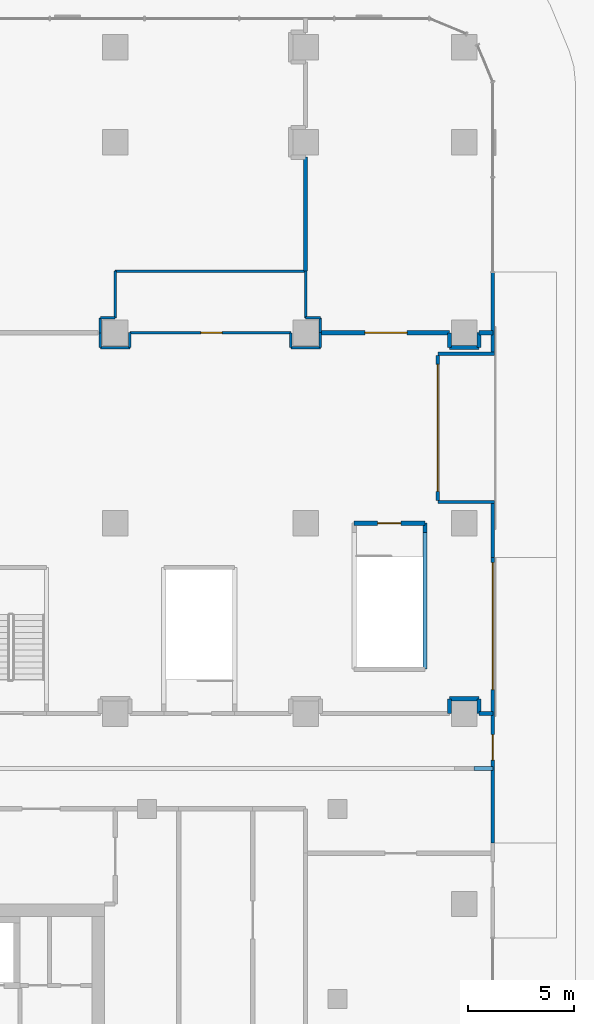
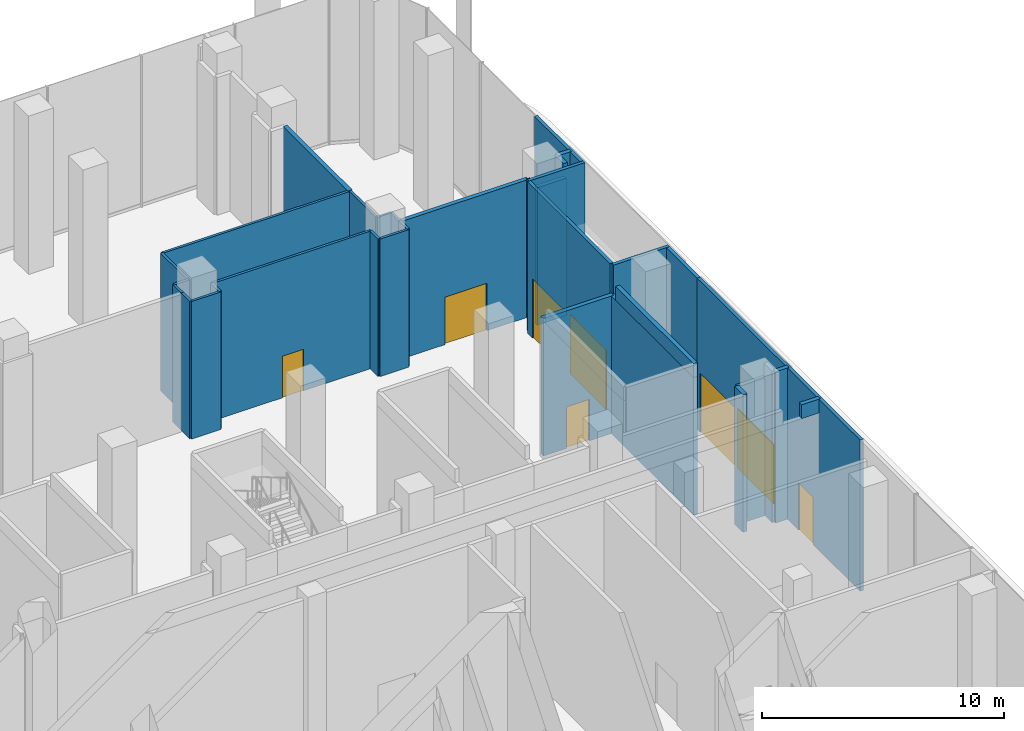
# One storey, part 25 of 42: 34 walls, 8 doors, 8 openings.
"""IFC4 building model written with IfcOpenShell, lengths in metres."""

from ifc_helpers import new_model, si_unit, direction, frame, frame_2d, origin, place, context, subcontext, project, spatial, rectangle, extrude, material, layer, layer_set, type_object, element, fill, save


model = new_model("IFC4")

# Units and contexts
model_context = context("Model", 3, precision=1e-05, world=origin(), true_north=direction((0.0, 1.0)))
body_context = subcontext(model_context, "Body", "Model", "MODEL_VIEW")
ifc_project = project(units=[si_unit("LENGTHUNIT", "METRE"), si_unit("AREAUNIT", "SQUARE_METRE"), si_unit("VOLUMEUNIT", "CUBIC_METRE"), si_unit("PLANEANGLEUNIT", "RADIAN"), si_unit("MASSUNIT", "GRAM", prefix="KILO")], contexts=[model_context])

# Site, building, storey
site_placement = place(None, origin())
site = spatial("IfcSite", under=ifc_project, at=site_placement, CompositionType="ELEMENT")
building_placement = place(site_placement, origin())
building = spatial("IfcBuilding", under=site, at=building_placement, Name="Plateau Cross Towers", CompositionType="ELEMENT")
storey_placement = place(building_placement, origin())
storey = spatial("IfcBuildingStorey", under=building, at=storey_placement, Name="L00", CompositionType="ELEMENT", Elevation=0.0)

# Wall, openings, doors
ifc_material_1 = material(Name="Concrete C40/50", Category="concrete")
ifc_layer_1 = layer(ifc_material_1, 0.159912109375)
ifc_layer_set_1 = layer_set([ifc_layer_1], Name="Concrete C40/50")
wall_type_1 = type_object("IfcWallType", Name="Entrance niche wall 160", PredefinedType="STANDARD", material=ifc_layer_set_1)
wall_1_placement = place(storey_placement, frame((105.25, 43.919921875, 0.0), z_axis=(0.0, 0.0, 1.0), x_axis=(0.0, -1.0, 0.0)))
wall_1 = element("IfcWall", 1, at=wall_1_placement, inside=storey, type_object=wall_type_1, Name="Station station-E1 screen wall", PredefinedType="STANDARD", context=body_context, shape_type="SweptSolid", body=[
    extrude(rectangle(XDim=6.83984375, YDim=0.159912109375, at=frame_2d((3.419921875, 0.0))), origin(), (0.0, 0.0, 1.0), 7.64990234375),
])
opening_1_placement = place(wall_1_placement, frame((0.419921875, 0.0, 0.0)))
opening_1 = element("IfcOpeningElement", 2, at=opening_1_placement, cuts=wall_1, Name="Opening XD3", PredefinedType="OPENING", context=body_context, shape_type="SweptSolid", body=[
    extrude(rectangle(XDim=3.0, YDim=3.0, at=frame_2d((1.5, 1.5))), frame((0.0, 0.08984375, 0.0), z_axis=(0.0, -1.0, 0.0), x_axis=(1.0, 0.0, 0.0)), (0.0, 0.0, 1.0), 0.179931640625),
])
opening_2_placement = place(wall_1_placement, frame((3.419921875, 0.0, 0.0)))
opening_2 = element("IfcOpeningElement", 3, at=opening_2_placement, cuts=wall_1, Name="Opening XD3", PredefinedType="OPENING", context=body_context, shape_type="SweptSolid", body=[
    extrude(rectangle(XDim=3.0, YDim=3.0, at=frame_2d((1.5, 1.5))), frame((0.0, 0.08984375, 0.0), z_axis=(0.0, -1.0, 0.0), x_axis=(1.0, 0.0, 0.0)), (0.0, 0.0, 1.0), 0.179931640625),
])
ifc_material_2 = material(Name="Aluminium framed glazing", Category="aluminium")
door_type_1 = type_object("IfcDoorType", Name="Station entrance sliding door 3000x3000", OperationType="SLIDING_TO_LEFT", PredefinedType="DOOR", material=ifc_material_2)
door_1_placement = place(opening_1_placement, origin())
door_1 = element("IfcDoor", 4, at=door_1_placement, inside=storey, type_object=door_type_1, Name="Station station-E1 door 1", OperationType="SINGLE_SWING_LEFT", OverallHeight=3.0, OverallWidth=3.0, PredefinedType="DOOR", context=body_context, shape_type="SweptSolid", body=[
    extrude(rectangle(XDim=3.0, YDim=3.0, at=frame_2d((1.5, 1.5))), frame((0.0, 0.02490234375, 0.0), z_axis=(0.0, -1.0, 0.0), x_axis=(1.0, 0.0, 0.0)), (0.0, 0.0, 1.0), 0.050048828125),
])
fill(opening_1, door_1)
door_2_placement = place(opening_2_placement, origin())
door_2 = element("IfcDoor", 5, at=door_2_placement, inside=storey, type_object=door_type_1, Name="Station station-E1 door 2", OperationType="SINGLE_SWING_LEFT", OverallHeight=3.0, OverallWidth=3.0, PredefinedType="DOOR", context=body_context, shape_type="SweptSolid", body=[
    extrude(rectangle(XDim=3.0, YDim=3.0, at=frame_2d((1.5, 1.5))), frame((0.0, 0.02490234375, 0.0), z_axis=(0.0, -1.0, 0.0), x_axis=(1.0, 0.0, 0.0)), (0.0, 0.0, 1.0), 0.050048828125),
])
fill(opening_2, door_2)

# Walls
for number, where, z_axis, x_axis, name in (
    (6, (107.929931640625, 37.0, 0.0), (0.0, 0.0, 1.0), (-1.0, 0.0, 0.0), "Station portal return wall"),
    (7, (107.929931640625, 44.0, 0.0), (0.0, 0.0, 1.0), (-1.0, 0.0, 0.0), "Station portal return wall"),
):
    element("IfcWall", number, at=place(storey_placement, frame(where, z_axis=z_axis, x_axis=x_axis)), inside=storey, type_object=wall_type_1, Name=name, PredefinedType="STANDARD", context=body_context, shape_type="SweptSolid", body=[
        extrude(rectangle(XDim=2.679931640625, YDim=0.159912109375, at=frame_2d((1.33984375, 0.0))), origin(), (0.0, 0.0, 1.0), 7.64990234375),
    ])
ifc_layer_2 = layer(ifc_material_2, 0.159912109375)
ifc_layer_set_2 = layer_set([ifc_layer_2], Name="Aluminium framed glazing")
wall_type_2 = type_object("IfcWallType", Name="Entrance screen wall 160", PredefinedType="STANDARD", material=ifc_layer_set_2)
wall_2_placement = place(storey_placement, frame((107.85009765625, 36.919921875, 0.0), z_axis=(0.0, 0.0, 1.0), x_axis=(0.0, -1.0, 0.0)))
element("IfcWall", 8, at=wall_2_placement, inside=storey, type_object=wall_type_2, Name="Station station-E1 screen wall", PredefinedType="STANDARD", context=body_context, shape_type="SweptSolid", body=[
    extrude(rectangle(XDim=2.544921875, YDim=0.159912109375, at=frame_2d((1.2724609375, 0.0))), origin(), (0.0, 0.0, 1.0), 7.64990234375),
])
wall_3_placement = place(storey_placement, frame((107.85009765625, 47.860107421875, 0.0), z_axis=(0.0, 0.0, 1.0), x_axis=(0.0, -1.0, 0.0)))
element("IfcWall", 9, at=wall_3_placement, inside=storey, type_object=wall_type_2, Name="Station station-E1 screen wall", PredefinedType="STANDARD", context=body_context, shape_type="SweptSolid", body=[
    extrude(rectangle(XDim=3.780029296875, YDim=0.159912109375, at=frame_2d((1.89013671875, 0.0))), origin(), (0.0, 0.0, 1.0), 7.64990234375),
])

# Wall, openings, doors
wall_4_placement = place(storey_placement, frame((107.85009765625, 34.375, 0.0), z_axis=(0.0, 0.0, 1.0), x_axis=(0.0, -1.0, 0.0)))
wall_4 = element("IfcWall", 10, at=wall_4_placement, inside=storey, type_object=wall_type_2, Name="Station station-E2 screen wall", PredefinedType="STANDARD", context=body_context, shape_type="SweptSolid", body=[
    extrude(rectangle(XDim=13.485107421875, YDim=0.159912109375, at=frame_2d((6.74267578125, 0.0))), origin(), (0.0, 0.0, 1.0), 7.64990234375),
])
opening_3_placement = place(wall_4_placement, frame((0.242431640625, 0.0, 0.0)))
opening_3 = element("IfcOpeningElement", 11, at=opening_3_placement, cuts=wall_4, Name="Opening XD3", PredefinedType="OPENING", context=body_context, shape_type="SweptSolid", body=[
    extrude(rectangle(XDim=3.0, YDim=3.0, at=frame_2d((1.5, 1.5))), frame((0.0, 0.08984375, 0.0), z_axis=(0.0, -1.0, 0.0), x_axis=(1.0, 0.0, 0.0)), (0.0, 0.0, 1.0), 0.179931640625),
])
opening_4_placement = place(wall_4_placement, frame((3.242431640625, 0.0, 0.0)))
opening_4 = element("IfcOpeningElement", 12, at=opening_4_placement, cuts=wall_4, Name="Opening XD3", PredefinedType="OPENING", context=body_context, shape_type="SweptSolid", body=[
    extrude(rectangle(XDim=3.0, YDim=3.0, at=frame_2d((1.5, 1.5))), frame((0.0, 0.08984375, 0.0), z_axis=(0.0, -1.0, 0.0), x_axis=(1.0, 0.0, 0.0)), (0.0, 0.0, 1.0), 0.179931640625),
])
opening_5_placement = place(wall_4_placement, frame((8.375, 0.0, 0.0)))
opening_5 = element("IfcOpeningElement", 13, at=opening_5_placement, cuts=wall_4, Name="Opening XD4", PredefinedType="OPENING", context=body_context, shape_type="SweptSolid", body=[
    extrude(rectangle(XDim=1.199951171875, YDim=2.39990234375, at=frame_2d((0.60009765625, 1.199951171875))), frame((0.0, 0.08984375, 0.0), z_axis=(0.0, -1.0, 0.0), x_axis=(1.0, 0.0, 0.0)), (0.0, 0.0, 1.0), 0.179931640625),
])
ifc_material_3 = material(Name="Steel S355", Category="steel")
door_type_2 = type_object("IfcDoorType", Name="Service door single leaf 1200x2400", OperationType="SINGLE_SWING_LEFT", PredefinedType="DOOR", material=ifc_material_3)
door_3_placement = place(opening_5_placement, origin())
door_3 = element("IfcDoor", 14, at=door_3_placement, inside=storey, type_object=door_type_2, Name="Exit door XP-E", OperationType="SINGLE_SWING_LEFT", OverallHeight=2.39990234375, OverallWidth=1.199951171875, PredefinedType="DOOR", context=body_context, shape_type="SweptSolid", body=[
    extrude(rectangle(XDim=1.199951171875, YDim=2.39990234375, at=frame_2d((0.60009765625, 1.199951171875))), frame((0.0, 0.02490234375, 0.0), z_axis=(0.0, -1.0, 0.0), x_axis=(1.0, 0.0, 0.0)), (0.0, 0.0, 1.0), 0.050048828125),
])
fill(opening_5, door_3)
door_4_placement = place(opening_3_placement, origin())
door_4 = element("IfcDoor", 15, at=door_4_placement, inside=storey, type_object=door_type_1, Name="Station station-E2 door 1", OperationType="SINGLE_SWING_LEFT", OverallHeight=3.0, OverallWidth=3.0, PredefinedType="DOOR", context=body_context, shape_type="SweptSolid", body=[
    extrude(rectangle(XDim=3.0, YDim=3.0, at=frame_2d((1.5, 1.5))), frame((0.0, 0.02490234375, 0.0), z_axis=(0.0, -1.0, 0.0), x_axis=(1.0, 0.0, 0.0)), (0.0, 0.0, 1.0), 0.050048828125),
])
fill(opening_3, door_4)
door_5_placement = place(opening_4_placement, origin())
door_5 = element("IfcDoor", 16, at=door_5_placement, inside=storey, type_object=door_type_1, Name="Station station-E2 door 2", OperationType="SINGLE_SWING_LEFT", OverallHeight=3.0, OverallWidth=3.0, PredefinedType="DOOR", context=body_context, shape_type="SweptSolid", body=[
    extrude(rectangle(XDim=3.0, YDim=3.0, at=frame_2d((1.5, 1.5))), frame((0.0, 0.02490234375, 0.0), z_axis=(0.0, -1.0, 0.0), x_axis=(1.0, 0.0, 0.0)), (0.0, 0.0, 1.0), 0.050048828125),
])
fill(opening_4, door_5)

# Wall
ifc_material_4 = material(Name="Gypsum board on steel studs", Category="steel")
ifc_layer_3 = layer(ifc_material_4, 0.199951171875)
ifc_layer_set_3 = layer_set([ifc_layer_3], Name="Gypsum board on steel studs")
wall_type_3 = type_object("IfcWallType", Name="Podium partition 200", PredefinedType="PARTITIONING", material=ifc_layer_set_3)
wall_5_placement = place(storey_placement, frame((99.0, 53.300048828125, 0.0), z_axis=(0.0, 0.0, 1.0), x_axis=(0.0, -1.0, 0.0)))
element("IfcWall", 17, at=wall_5_placement, inside=storey, type_object=wall_type_3, Name="Partition wall", PredefinedType="PARTITIONING", context=body_context, shape_type="SweptSolid", body=[
    extrude(rectangle(XDim=5.38916015625, YDim=0.199951171875, at=frame_2d((2.694580078125, 0.0))), origin(), (0.0, 0.0, 1.0), 6.949951171875),
])

# Wall, opening, door
wall_6_placement = place(storey_placement, frame((99.699951171875, 45.0, 0.0), z_axis=(0.0, 0.0, 1.0), x_axis=(1.0, 0.0, 0.0)))
wall_6 = element("IfcWall", 18, at=wall_6_placement, inside=storey, type_object=wall_type_3, Name="Partition wall", PredefinedType="PARTITIONING", context=body_context, shape_type="SweptSolid", body=[
    extrude(rectangle(XDim=6.10009765625, YDim=0.199951171875, at=frame_2d((3.050048828125, 0.0))), origin(), (0.0, 0.0, 1.0), 6.949951171875),
])
opening_6_placement = place(wall_6_placement, frame((2.10009765625, 0.0, 0.0)))
opening_6 = element("IfcOpeningElement", 19, at=opening_6_placement, cuts=wall_6, Name="Opening 00-31", PredefinedType="OPENING", context=body_context, shape_type="SweptSolid", body=[
    extrude(rectangle(XDim=2.0, YDim=2.39990234375, at=frame_2d((1.0, 1.199951171875))), frame((0.0, 0.10986328125, 0.0), z_axis=(0.0, -1.0, 0.0), x_axis=(1.0, 0.0, 0.0)), (0.0, 0.0, 1.0), 0.219970703125),
])
ifc_material_5 = material(Name="Aluminium frame, toughened glass", Category="aluminium")
door_type_3 = type_object("IfcDoorType", Name="Shop entrance double door 2000x2400", OperationType="NOTDEFINED", PredefinedType="DOOR", material=ifc_material_5)
door_6_placement = place(opening_6_placement, origin())
door_6 = element("IfcDoor", 20, at=door_6_placement, inside=storey, type_object=door_type_3, Name="Door 00-31", OperationType="SINGLE_SWING_LEFT", OverallHeight=2.39990234375, OverallWidth=2.0, PredefinedType="DOOR", context=body_context, shape_type="SweptSolid", body=[
    extrude(rectangle(XDim=2.0, YDim=2.39990234375, at=frame_2d((1.0, 1.199951171875))), frame((0.0, 0.02490234375, 0.0), z_axis=(0.0, -1.0, 0.0), x_axis=(1.0, 0.0, 0.0)), (0.0, 0.0, 1.0), 0.050048828125),
])
fill(opening_6, door_6)

# Walls
wall_7_placement = place(storey_placement, frame((105.800048828125, 45.0, 0.0), z_axis=(0.0, 0.0, 1.0), x_axis=(0.0, -1.0, 0.0)))
element("IfcWall", 21, at=wall_7_placement, inside=storey, type_object=wall_type_3, Name="Partition wall", PredefinedType="PARTITIONING", context=body_context, shape_type="SweptSolid", body=[
    extrude(rectangle(XDim=0.699951171875, YDim=0.199951171875, at=frame_2d((0.35009765625, 0.0))), origin(), (0.0, 0.0, 1.0), 6.949951171875),
])
wall_8_placement = place(storey_placement, frame((105.800048828125, 44.300048828125, 0.0), z_axis=(0.0, 0.0, 1.0), x_axis=(1.0, 0.0, 0.0)))
element("IfcWall", 22, at=wall_8_placement, inside=storey, type_object=wall_type_3, Name="Partition wall", PredefinedType="PARTITIONING", context=body_context, shape_type="SweptSolid", body=[
    extrude(rectangle(XDim=1.39990234375, YDim=0.199951171875, at=frame_2d((0.699951171875, 0.0))), origin(), (0.0, 0.0, 1.0), 6.949951171875),
])
wall_9_placement = place(storey_placement, frame((107.199951171875, 44.300048828125, 0.0), z_axis=(0.0, 0.0, 1.0), x_axis=(0.0, 1.0, 0.0)))
element("IfcWall", 23, at=wall_9_placement, inside=storey, type_object=wall_type_3, Name="Partition wall", PredefinedType="PARTITIONING", context=body_context, shape_type="SweptSolid", body=[
    extrude(rectangle(XDim=0.699951171875, YDim=0.199951171875, at=frame_2d((0.35009765625, 0.0))), origin(), (0.0, 0.0, 1.0), 7.64990234375),
])
wall_10_placement = place(storey_placement, frame((107.199951171875, 45.0, 0.0), z_axis=(0.0, 0.0, 1.0), x_axis=(1.0, 0.0, 0.0)))
element("IfcWall", 24, at=wall_10_placement, inside=storey, type_object=wall_type_3, Name="Partition wall", PredefinedType="PARTITIONING", context=body_context, shape_type="SweptSolid", body=[
    extrude(rectangle(XDim=0.650146484375, YDim=0.199951171875, at=frame_2d((0.3251953125, 0.0))), origin(), (0.0, 0.0, 1.0), 7.64990234375),
])

# Wall, opening, door
ifc_material_6 = material(Name="Fire-rated plasterboard shaft wall system")
ifc_layer_4 = layer(ifc_material_6, 0.199951171875)
ifc_layer_set_4 = layer_set([ifc_layer_4], Name="Fire-rated plasterboard shaft wall system")
wall_type_4 = type_object("IfcWallType", Name="Podium stair shaft wall 200", PredefinedType="PARTITIONING", material=ifc_layer_set_4)
wall_11_placement = place(storey_placement, frame((101.300048828125, 36.0, 0.0), z_axis=(0.0, 0.0, 1.0), x_axis=(1.0, 0.0, 0.0)))
wall_11 = element("IfcWall", 25, at=wall_11_placement, inside=storey, type_object=wall_type_4, Name="Partition wall", PredefinedType="PARTITIONING", context=body_context, shape_type="SweptSolid", body=[
    extrude(rectangle(XDim=3.349853515625, YDim=0.199951171875, at=frame_2d((1.6748046875, 0.0))), origin(), (0.0, 0.0, 1.0), 6.949951171875),
])
opening_7_placement = place(wall_11_placement, frame((1.10009765625, 0.0, 0.0)))
opening_7 = element("IfcOpeningElement", 26, at=opening_7_placement, cuts=wall_11, Name="Opening 00-12", PredefinedType="OPENING", context=body_context, shape_type="SweptSolid", body=[
    extrude(rectangle(XDim=1.10009765625, YDim=2.10009765625, at=frame_2d((0.550048828125, 1.050048828125))), frame((0.0, 0.10986328125, 0.0), z_axis=(0.0, -1.0, 0.0), x_axis=(1.0, 0.0, 0.0)), (0.0, 0.0, 1.0), 0.219970703125),
])
ifc_material_7 = material(Name="Steel, fire-resisting leaf", Category="steel")
door_type_4 = type_object("IfcDoorType", Name="Podium stair door 1100", OperationType="NOTDEFINED", PredefinedType="DOOR", material=ifc_material_7)
door_7_placement = place(opening_7_placement, origin())
door_7 = element("IfcDoor", 27, at=door_7_placement, inside=storey, type_object=door_type_4, Name="Door 00-12", OperationType="SINGLE_SWING_LEFT", OverallHeight=2.10009765625, OverallWidth=1.10009765625, PredefinedType="DOOR", context=body_context, shape_type="SweptSolid", body=[
    extrude(rectangle(XDim=1.10009765625, YDim=2.10009765625, at=frame_2d((0.550048828125, 1.050048828125))), frame((0.0, 0.02490234375, 0.0), z_axis=(0.0, -1.0, 0.0), x_axis=(1.0, 0.0, 0.0)), (0.0, 0.0, 1.0), 0.050048828125),
])
fill(opening_7, door_7)

# Walls
wall_12_placement = place(storey_placement, frame((104.64990234375, 36.0, 0.0), z_axis=(0.0, 0.0, 1.0), x_axis=(0.0, -1.0, 0.0)))
element("IfcWall", 28, at=wall_12_placement, inside=storey, type_object=wall_type_4, Name="Partition wall", PredefinedType="PARTITIONING", context=body_context, shape_type="SweptSolid", body=[
    extrude(rectangle(XDim=6.89990234375, YDim=0.199951171875, at=frame_2d((3.449951171875, 0.0))), origin(), (0.0, 0.0, 1.0), 6.949951171875),
])
wall_13_placement = place(storey_placement, frame((105.800048828125, 27.0, 0.0), z_axis=(0.0, 0.0, 1.0), x_axis=(0.0, 1.0, 0.0)))
element("IfcWall", 29, at=wall_13_placement, inside=storey, type_object=wall_type_4, Name="Partition wall", PredefinedType="PARTITIONING", context=body_context, shape_type="SweptSolid", body=[
    extrude(rectangle(XDim=0.699951171875, YDim=0.199951171875, at=frame_2d((0.35009765625, 0.0))), origin(), (0.0, 0.0, 1.0), 6.949951171875),
])
wall_14_placement = place(storey_placement, frame((105.800048828125, 27.699951171875, 0.0), z_axis=(0.0, 0.0, 1.0), x_axis=(1.0, 0.0, 0.0)))
element("IfcWall", 30, at=wall_14_placement, inside=storey, type_object=wall_type_4, Name="Partition wall", PredefinedType="PARTITIONING", context=body_context, shape_type="SweptSolid", body=[
    extrude(rectangle(XDim=1.39990234375, YDim=0.199951171875, at=frame_2d((0.699951171875, 0.0))), origin(), (0.0, 0.0, 1.0), 6.949951171875),
])
wall_15_placement = place(storey_placement, frame((107.199951171875, 27.699951171875, 0.0), z_axis=(0.0, 0.0, 1.0), x_axis=(0.0, -1.0, 0.0)))
element("IfcWall", 31, at=wall_15_placement, inside=storey, type_object=wall_type_4, Name="Partition wall", PredefinedType="PARTITIONING", context=body_context, shape_type="SweptSolid", body=[
    extrude(rectangle(XDim=0.699951171875, YDim=0.199951171875, at=frame_2d((0.35009765625, 0.0))), origin(), (0.0, 0.0, 1.0), 7.64990234375),
])
wall_16_placement = place(storey_placement, frame((107.199951171875, 27.0, 0.0), z_axis=(0.0, 0.0, 1.0), x_axis=(1.0, 0.0, 0.0)))
element("IfcWall", 32, at=wall_16_placement, inside=storey, type_object=wall_type_4, Name="Partition wall", PredefinedType="PARTITIONING", context=body_context, shape_type="SweptSolid", body=[
    extrude(rectangle(XDim=0.650146484375, YDim=0.199951171875, at=frame_2d((0.3251953125, 0.0))), origin(), (0.0, 0.0, 1.0), 7.64990234375),
])
wall_17_placement = place(storey_placement, frame((107.85009765625, 24.39990234375, 6.949951171875), z_axis=(0.0, 0.0, 1.0), x_axis=(-1.0, 0.0, 0.0)))
element("IfcWall", 33, at=wall_17_placement, inside=storey, type_object=wall_type_4, Name="Partition wall head", PredefinedType="PARTITIONING", context=body_context, shape_type="SweptSolid", body=[
    extrude(rectangle(XDim=0.900146484375, YDim=0.199951171875, at=frame_2d((0.4501953125, 0.0))), origin(), (0.0, 0.0, 1.0), 0.699951171875),
])
wall_18_placement = place(storey_placement, frame((104.64990234375, 35.550048828125, 6.949951171875), z_axis=(0.0, 0.0, 1.0), x_axis=(0.0, -1.0, 0.0)))
element("IfcWall", 34, at=wall_18_placement, inside=storey, type_object=wall_type_4, Name="Partition wall head", PredefinedType="PARTITIONING", context=body_context, shape_type="SweptSolid", body=[
    extrude(rectangle(XDim=6.449951171875, YDim=0.199951171875, at=frame_2d((3.22509765625, 0.0))), origin(), (0.0, 0.0, 1.0), 0.699951171875),
])
ifc_material_8 = material(Name="Moisture-resistant board on steel studs, tiled one side", Category="steel")
ifc_layer_5 = layer(ifc_material_8, 0.1201171875)
ifc_layer_set_5 = layer_set([ifc_layer_5], Name="Moisture-resistant board on steel studs, tiled one side")
wall_type_5 = type_object("IfcWallType", Name="Sanitary partition 120", PredefinedType="PARTITIONING", material=ifc_layer_set_5)
wall_19_placement = place(storey_placement, frame((89.300048828125, 45.0, 0.0), z_axis=(0.0, 0.0, 1.0), x_axis=(0.0, -1.0, 0.0)))
element("IfcWall", 35, at=wall_19_placement, inside=storey, type_object=wall_type_5, Name="Partition wall", PredefinedType="PARTITIONING", context=body_context, shape_type="SweptSolid", body=[
    extrude(rectangle(XDim=0.699951171875, YDim=0.1201171875, at=frame_2d((0.35009765625, 0.0))), origin(), (0.0, 0.0, 1.0), 6.949951171875),
])
wall_20_placement = place(storey_placement, frame((89.300048828125, 44.300048828125, 0.0), z_axis=(0.0, 0.0, 1.0), x_axis=(1.0, 0.0, 0.0)))
element("IfcWall", 36, at=wall_20_placement, inside=storey, type_object=wall_type_5, Name="Partition wall", PredefinedType="PARTITIONING", context=body_context, shape_type="SweptSolid", body=[
    extrude(rectangle(XDim=1.39990234375, YDim=0.1201171875, at=frame_2d((0.699951171875, 0.0))), origin(), (0.0, 0.0, 1.0), 6.949951171875),
])
wall_21_placement = place(storey_placement, frame((90.699951171875, 44.300048828125, 0.0), z_axis=(0.0, 0.0, 1.0), x_axis=(0.0, 1.0, 0.0)))
element("IfcWall", 37, at=wall_21_placement, inside=storey, type_object=wall_type_5, Name="Partition wall", PredefinedType="PARTITIONING", context=body_context, shape_type="SweptSolid", body=[
    extrude(rectangle(XDim=0.699951171875, YDim=0.1201171875, at=frame_2d((0.35009765625, 0.0))), origin(), (0.0, 0.0, 1.0), 6.949951171875),
])

# Wall, opening, door
wall_22_placement = place(storey_placement, frame((90.699951171875, 45.0, 0.0), z_axis=(0.0, 0.0, 1.0), x_axis=(1.0, 0.0, 0.0)))
wall_22 = element("IfcWall", 38, at=wall_22_placement, inside=storey, type_object=wall_type_5, Name="Partition wall", PredefinedType="PARTITIONING", context=body_context, shape_type="SweptSolid", body=[
    extrude(rectangle(XDim=7.60009765625, YDim=0.1201171875, at=frame_2d((3.800048828125, 0.0))), origin(), (0.0, 0.0, 1.0), 6.949951171875),
])
opening_8_placement = place(wall_22_placement, frame((3.35009765625, 0.0, 0.0)))
opening_8 = element("IfcOpeningElement", 39, at=opening_8_placement, cuts=wall_22, Name="Opening 00-30", PredefinedType="OPENING", context=body_context, shape_type="SweptSolid", body=[
    extrude(rectangle(XDim=1.0, YDim=2.10009765625, at=frame_2d((0.5, 1.050048828125))), frame((0.0, 0.070068359375, 0.0), z_axis=(0.0, -1.0, 0.0), x_axis=(1.0, 0.0, 0.0)), (0.0, 0.0, 1.0), 0.14013671875),
])
ifc_material_9 = material(Name="Timber leaf", Category="wood")
door_type_5 = type_object("IfcDoorType", Name="Podium clinic door 1000", OperationType="NOTDEFINED", PredefinedType="DOOR", material=ifc_material_9)
door_8_placement = place(opening_8_placement, origin())
door_8 = element("IfcDoor", 40, at=door_8_placement, inside=storey, type_object=door_type_5, Name="Door 00-30", OperationType="SINGLE_SWING_LEFT", OverallHeight=2.10009765625, OverallWidth=1.0, PredefinedType="DOOR", context=body_context, shape_type="SweptSolid", body=[
    extrude(rectangle(XDim=1.0, YDim=2.10009765625, at=frame_2d((0.5, 1.050048828125))), frame((0.0, 0.02490234375, 0.0), z_axis=(0.0, -1.0, 0.0), x_axis=(1.0, 0.0, 0.0)), (0.0, 0.0, 1.0), 0.050048828125),
])
fill(opening_8, door_8)

# Walls
wall_23_placement = place(storey_placement, frame((98.300048828125, 45.0, 0.0), z_axis=(0.0, 0.0, 1.0), x_axis=(0.0, -1.0, 0.0)))
element("IfcWall", 41, at=wall_23_placement, inside=storey, type_object=wall_type_5, Name="Partition wall", PredefinedType="PARTITIONING", context=body_context, shape_type="SweptSolid", body=[
    extrude(rectangle(XDim=0.699951171875, YDim=0.1201171875, at=frame_2d((0.35009765625, 0.0))), origin(), (0.0, 0.0, 1.0), 6.949951171875),
])
wall_24_placement = place(storey_placement, frame((98.300048828125, 44.300048828125, 0.0), z_axis=(0.0, 0.0, 1.0), x_axis=(1.0, 0.0, 0.0)))
element("IfcWall", 42, at=wall_24_placement, inside=storey, type_object=wall_type_5, Name="Partition wall", PredefinedType="PARTITIONING", context=body_context, shape_type="SweptSolid", body=[
    extrude(rectangle(XDim=1.39990234375, YDim=0.1201171875, at=frame_2d((0.699951171875, 0.0))), origin(), (0.0, 0.0, 1.0), 6.949951171875),
])
wall_25_placement = place(storey_placement, frame((99.699951171875, 44.300048828125, 0.0), z_axis=(0.0, 0.0, 1.0), x_axis=(0.0, 1.0, 0.0)))
element("IfcWall", 43, at=wall_25_placement, inside=storey, type_object=wall_type_5, Name="Partition wall", PredefinedType="PARTITIONING", context=body_context, shape_type="SweptSolid", body=[
    extrude(rectangle(XDim=0.699951171875, YDim=0.1201171875, at=frame_2d((0.35009765625, 0.0))), origin(), (0.0, 0.0, 1.0), 6.949951171875),
])
wall_26_placement = place(storey_placement, frame((99.0, 47.910888671875, 0.0), z_axis=(0.0, 0.0, 1.0), x_axis=(-1.0, 0.0, 0.0)))
element("IfcWall", 44, at=wall_26_placement, inside=storey, type_object=wall_type_5, Name="Partition wall", PredefinedType="PARTITIONING", context=body_context, shape_type="SweptSolid", body=[
    extrude(rectangle(XDim=9.0, YDim=0.1201171875, at=frame_2d((4.5, 0.0))), origin(), (0.0, 0.0, 1.0), 6.949951171875),
])
wall_27_placement = place(storey_placement, frame((90.0, 47.910888671875, 0.0), z_axis=(0.0, 0.0, 1.0), x_axis=(0.0, -1.0, 0.0)))
element("IfcWall", 45, at=wall_27_placement, inside=storey, type_object=wall_type_5, Name="Partition wall", PredefinedType="PARTITIONING", context=body_context, shape_type="SweptSolid", body=[
    extrude(rectangle(XDim=2.2109375, YDim=0.1201171875, at=frame_2d((1.10546875, 0.0))), origin(), (0.0, 0.0, 1.0), 6.949951171875),
])
for number, where, z_axis, x_axis, name in (
    (46, (90.0, 45.699951171875, 0.0), (0.0, 0.0, 1.0), (-1.0, 0.0, 0.0), "Partition wall"),
    (47, (89.300048828125, 45.699951171875, 0.0), (0.0, 0.0, 1.0), (0.0, -1.0, 0.0), "Partition wall"),
):
    element("IfcWall", number, at=place(storey_placement, frame(where, z_axis=z_axis, x_axis=x_axis)), inside=storey, type_object=wall_type_5, Name=name, PredefinedType="PARTITIONING", context=body_context, shape_type="SweptSolid", body=[
        extrude(rectangle(XDim=0.699951171875, YDim=0.1201171875, at=frame_2d((0.35009765625, 0.0))), origin(), (0.0, 0.0, 1.0), 6.949951171875),
    ])
wall_28_placement = place(storey_placement, frame((99.0, 47.910888671875, 0.0), z_axis=(0.0, 0.0, 1.0), x_axis=(0.0, -1.0, 0.0)))
element("IfcWall", 48, at=wall_28_placement, inside=storey, type_object=wall_type_5, Name="Partition wall", PredefinedType="PARTITIONING", context=body_context, shape_type="SweptSolid", body=[
    extrude(rectangle(XDim=2.2109375, YDim=0.1201171875, at=frame_2d((1.10546875, 0.0))), origin(), (0.0, 0.0, 1.0), 6.949951171875),
])
for number, where, z_axis, x_axis, name in (
    (49, (99.0, 45.699951171875, 0.0), (0.0, 0.0, 1.0), (1.0, 0.0, 0.0), "Partition wall"),
    (50, (99.699951171875, 45.699951171875, 0.0), (0.0, 0.0, 1.0), (0.0, -1.0, 0.0), "Partition wall"),
):
    element("IfcWall", number, at=place(storey_placement, frame(where, z_axis=z_axis, x_axis=x_axis)), inside=storey, type_object=wall_type_5, Name=name, PredefinedType="PARTITIONING", context=body_context, shape_type="SweptSolid", body=[
        extrude(rectangle(XDim=0.699951171875, YDim=0.1201171875, at=frame_2d((0.35009765625, 0.0))), origin(), (0.0, 0.0, 1.0), 6.949951171875),
    ])

save(model, "model.ifc")
